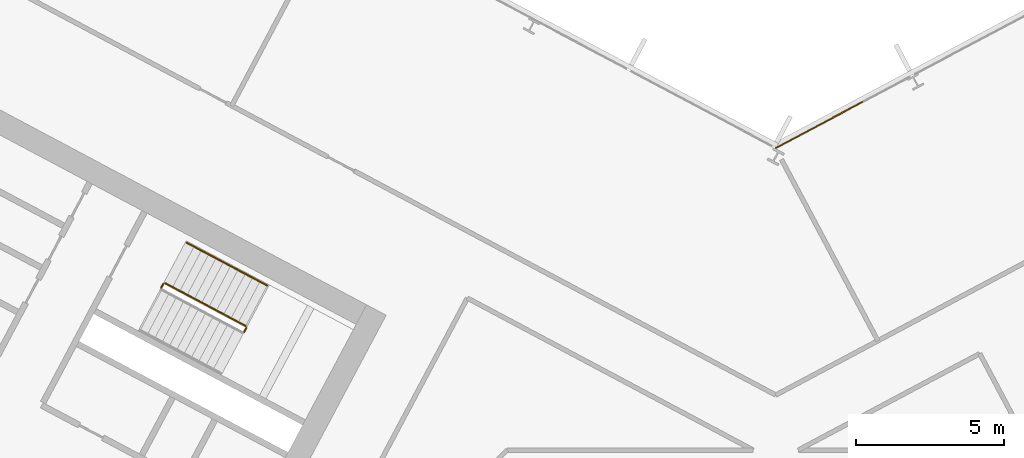
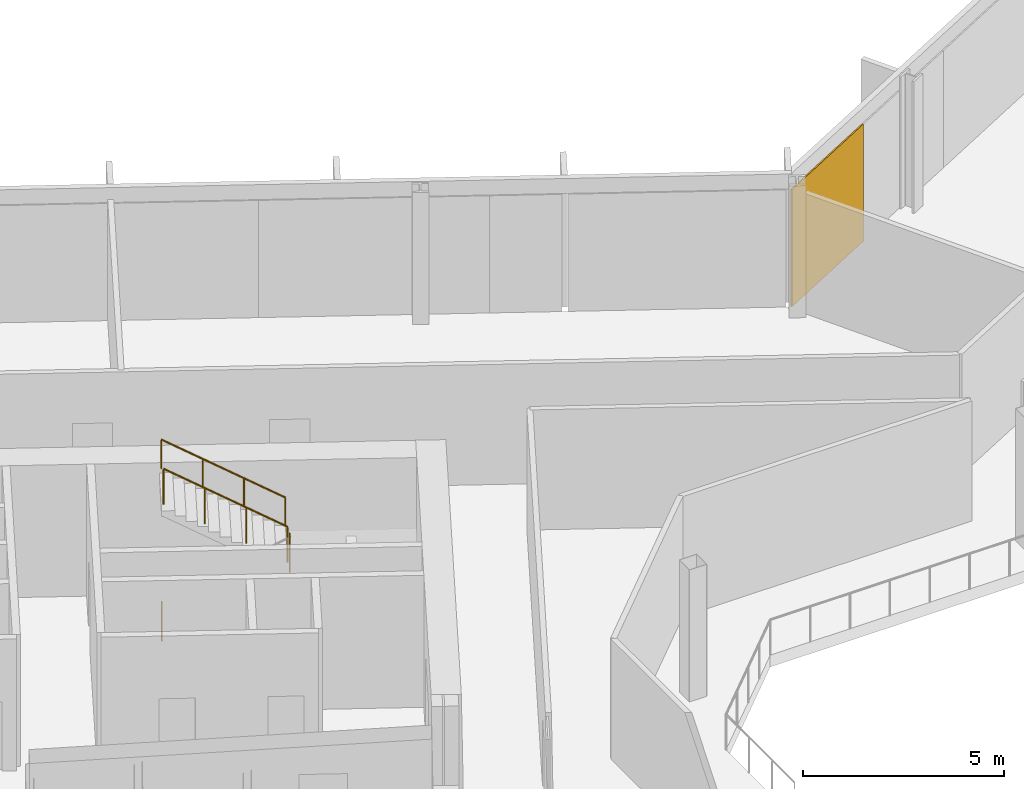
# One storey, part 23 of 28: 4 railings, 1 covering, 1 element without a shape of its own.
"""IFC4 building model written with IfcOpenShell, lengths in metres."""

from ifc_helpers import new_model, si_unit, direction, frame, origin, origin_2d, place, context, subcontext, project, spatial, polyline, rectangle, outline, extrude, material, layer, layer_set, type_object, element, aggregate, save


model = new_model("IFC4")

# Units and contexts
model_context = context("Model", 3, precision=1e-05, world=origin(), true_north=direction((0.0, 1.0)))
body_context = subcontext(model_context, "Body", "Model", "MODEL_VIEW")
ifc_project = project(units=[si_unit("LENGTHUNIT", "METRE"), si_unit("AREAUNIT", "SQUARE_METRE"), si_unit("VOLUMEUNIT", "CUBIC_METRE"), si_unit("PLANEANGLEUNIT", "RADIAN"), si_unit("MASSUNIT", "GRAM", prefix="KILO")], contexts=[model_context])

# Site, building, storey
site_placement = place(None, origin())
site = spatial("IfcSite", under=ifc_project, at=site_placement, CompositionType="ELEMENT")
building_placement = place(site_placement, origin())
building = spatial("IfcBuilding", under=site, at=building_placement, Name="Cormorant Relay Tower", CompositionType="ELEMENT")
storey_placement = place(building_placement, frame((0.0, 0.0, 170.199951171875)))
storey = spatial("IfcBuildingStorey", under=building, at=storey_placement, Name="L36", CompositionType="ELEMENT", Elevation=170.199951171875)

# Curtain wall, covering
ifc_material_1 = material(Name="Aluminium 6063-T6 anodised bronze", Category="aluminium")
ifc_layer_1 = layer(ifc_material_1, 0.199951171875)
ifc_layer_set_1 = layer_set([ifc_layer_1], Name="CW1 unitised bronze curtain wall with vertical fins")
curtain_wall_type = type_object("IfcCurtainWallType", Name="CW1 unitised bronze curtain wall with vertical fins", PredefinedType="NOTDEFINED", material=ifc_layer_set_1)
curtain_wall_placement = place(storey_placement, origin())
curtain_wall = element("IfcCurtainWall", 1, at=curtain_wall_placement, inside=storey, type_object=curtain_wall_type, Name="CW1 curtain wall 8", PredefinedType="NOTDEFINED")
ifc_material_2 = material(Name="Pale bronze anodised aluminium insulated panel", Category="aluminium")
ifc_layer_2 = layer(ifc_material_2, 0.0400390625)
ifc_layer_set_2 = layer_set([ifc_layer_2], Name="CW1 pale bronze insulated panel 40")
covering_type = type_object("IfcCoveringType", Name="CW1 pale bronze insulated panel 40", PredefinedType="CLADDING", material=ifc_layer_set_2)
covering_placement = place(storey_placement, frame((1.471435546875, 24.589111328125, 0.0), z_axis=(0.0, 0.0, 1.0), x_axis=(-0.882947592859, -0.469471562786, 0.0)))
covering = element("IfcCovering", 2, at=covering_placement, type_object=covering_type, Name="CW1 panel S10", PredefinedType="CLADDING", context=body_context, shape_type="SweptSolid", body=[
    extrude(rectangle(XDim=3.354248046875, YDim=0.0400390625, at=origin_2d()), origin(), (0.0, 0.0, 1.0), 3.550048828125),
])
aggregate(curtain_wall, [covering])

# Railings
ifc_material_3 = material(Name="Steel ASTM A572 Grade 50 (Fy 345 MPa)", Category="steel")
railing_type_1 = type_object("IfcRailingType", Name="Stair guard 1100", PredefinedType="GUARDRAIL", material=ifc_material_3)
railing_1_placement = place(storey_placement, frame((-17.96337890625, 17.592529296875, 2.0)))
element("IfcRailing", 3, at=railing_1_placement, inside=storey, type_object=railing_type_1, Name="L36 A1 stair guard 2", PredefinedType="GUARDRAIL", context=body_context, shape_type="SweptSolid", body=[
    extrude(outline(polyline([(0.022216796875, 0.00927734375), (0.00927734375, 0.022216796875), (-0.00927734375, 0.022216796875), (-0.022216796875, 0.00927734375), (-0.022216796875, -0.00927734375), (-0.00927734375, -0.022216796875), (0.00927734375, -0.022216796875), (0.022216796875, -0.00927734375), (0.022216796875, 0.00927734375)])), frame((0.0, 0.0, 1.076171875), z_axis=(0.46856034887, 0.8834314911, 0.0), x_axis=(-0.8834314911, 0.46856034887, 0.0)), (0.0, 0.0, 1.0), 0.150146484375),
    extrude(outline(polyline([(0.019287109375, 0.008056640625), (0.008056640625, 0.019287109375), (-0.008056640625, 0.019287109375), (-0.019287109375, 0.008056640625), (-0.019287109375, -0.008056640625), (-0.008056640625, -0.019287109375), (0.008056640625, -0.019287109375), (0.019287109375, -0.008056640625), (0.019287109375, 0.008056640625)])), origin(), (0.0, 0.0, 1.0), 1.052001953125),
    extrude(outline(polyline([(0.019287109375, 0.008056640625), (0.008056640625, 0.019287109375), (-0.008056640625, 0.019287109375), (-0.019287109375, 0.008056640625), (-0.019287109375, -0.008056640625), (-0.008056640625, -0.019287109375), (0.008056640625, -0.019287109375), (0.019287109375, -0.008056640625), (0.019287109375, 0.008056640625)])), frame((0.0703125, 0.132568359375, 0.0)), (0.0, 0.0, 1.0), 1.052001953125),
])
railing_2_placement = place(storey_placement, frame((-17.913818359375, 17.792724609375, 2.166748046875)))
element("IfcRailing", 4, at=railing_2_placement, inside=storey, type_object=railing_type_1, Name="L36 A1 stair guard 3", PredefinedType="GUARDRAIL", context=body_context, shape_type="SweptSolid", body=[
    extrude(outline(polyline([(0.022216796875, 0.00927734375), (0.00927734375, 0.022216796875), (-0.00927734375, 0.022216796875), (-0.022216796875, 0.00927734375), (-0.022216796875, -0.00927734375), (-0.00927734375, -0.022216796875), (0.00927734375, -0.022216796875), (0.022216796875, -0.00927734375), (0.022216796875, 0.00927734375)])), frame((0.0, 0.0, 1.076171875), z_axis=(-0.758734504837, 0.403377838015, 0.511476559549), x_axis=(-0.469427602063, -0.882970965786, 0.0)), (0.0, 0.0, 1.0), 3.584228515625),
    extrude(outline(polyline([(0.019287109375, 0.008056640625), (0.008056640625, 0.019287109375), (-0.008056640625, 0.019287109375), (-0.019287109375, 0.008056640625), (-0.019287109375, -0.008056640625), (-0.008056640625, -0.019287109375), (0.008056640625, -0.019287109375), (0.019287109375, -0.008056640625), (0.019287109375, 0.008056640625)])), origin(), (0.0, 0.0, 1.0), 1.052001953125),
    extrude(outline(polyline([(0.019287109375, 0.008056640625), (0.008056640625, 0.019287109375), (-0.008056640625, 0.019287109375), (-0.019287109375, 0.008056640625), (-0.019287109375, -0.008056640625), (-0.008056640625, -0.019287109375), (0.008056640625, -0.019287109375), (0.019287109375, -0.008056640625), (0.019287109375, 0.008056640625)])), frame((-0.906494140625, 0.48193359375, 0.611083984375)), (0.0, 0.0, 1.0), 1.052001953125),
    extrude(outline(polyline([(0.019287109375, 0.008056640625), (0.008056640625, 0.019287109375), (-0.008056640625, 0.019287109375), (-0.019287109375, 0.008056640625), (-0.019287109375, -0.008056640625), (-0.008056640625, -0.019287109375), (0.008056640625, -0.019287109375), (0.019287109375, -0.008056640625), (0.019287109375, 0.008056640625)])), frame((-1.81298828125, 0.9638671875, 1.22216796875)), (0.0, 0.0, 1.0), 1.052001953125),
    extrude(outline(polyline([(0.019287109375, 0.008056640625), (0.008056640625, 0.019287109375), (-0.008056640625, 0.019287109375), (-0.019287109375, 0.008056640625), (-0.019287109375, -0.008056640625), (-0.008056640625, -0.019287109375), (0.008056640625, -0.019287109375), (0.019287109375, -0.008056640625), (0.019287109375, 0.008056640625)])), frame((-2.719482421875, 1.44580078125, 1.833251953125)), (0.0, 0.0, 1.0), 1.052001953125),
])
railing_3_placement = place(storey_placement, frame((-20.771240234375, 19.08544921875, 0.0)))
element("IfcRailing", 5, at=railing_3_placement, inside=storey, type_object=railing_type_1, Name="L36 A1 stair guard 4", PredefinedType="GUARDRAIL", context=body_context, shape_type="SweptSolid", body=[
    extrude(outline(polyline([(0.022216796875, 0.00927734375), (0.00927734375, 0.022216796875), (-0.00927734375, 0.022216796875), (-0.022216796875, 0.00927734375), (-0.022216796875, -0.00927734375), (-0.00927734375, -0.022216796875), (0.00927734375, -0.022216796875), (0.022216796875, -0.00927734375), (0.022216796875, 0.00927734375)])), frame((0.0, 0.0, 1.076171875), z_axis=(0.469828648786, 0.882757634224, 0.0), x_axis=(-0.882757634224, 0.469828648786, 0.0)), (0.0, 0.0, 1.0), 0.150146484375),
    extrude(outline(polyline([(0.019287109375, 0.008056640625), (0.008056640625, 0.019287109375), (-0.008056640625, 0.019287109375), (-0.019287109375, 0.008056640625), (-0.019287109375, -0.008056640625), (-0.008056640625, -0.019287109375), (0.008056640625, -0.019287109375), (0.019287109375, -0.008056640625), (0.019287109375, 0.008056640625)])), origin(), (0.0, 0.0, 1.0), 1.052001953125),
    extrude(outline(polyline([(0.019287109375, 0.008056640625), (0.008056640625, 0.019287109375), (-0.008056640625, 0.019287109375), (-0.019287109375, 0.008056640625), (-0.019287109375, -0.008056640625), (-0.008056640625, -0.019287109375), (0.008056640625, -0.019287109375), (0.019287109375, -0.008056640625), (0.019287109375, 0.008056640625)])), frame((0.070556640625, 0.132568359375, 0.0)), (0.0, 0.0, 1.0), 1.052001953125),
])
ifc_material_4 = material(Name="Steel ASTM A572 Grade 50 (Fy 345 MPa)", Category="steel")
railing_type_2 = type_object("IfcRailingType", Name="Stair handrail 900", PredefinedType="HANDRAIL", material=ifc_material_4)
railing_4_placement = place(storey_placement, frame((-17.18603515625, 19.1611328125, 2.166748046875)))
element("IfcRailing", 6, at=railing_4_placement, inside=storey, type_object=railing_type_2, Name="L36 A1 stair handrail 2", PredefinedType="HANDRAIL", context=body_context, shape_type="SweptSolid", body=[
    extrude(outline(polyline([(0.022216796875, 0.00927734375), (0.00927734375, 0.022216796875), (-0.00927734375, 0.022216796875), (-0.022216796875, 0.00927734375), (-0.022216796875, -0.00927734375), (-0.00927734375, -0.022216796875), (0.00927734375, -0.022216796875), (0.022216796875, -0.00927734375), (0.022216796875, 0.00927734375)])), frame((0.0, 0.0, 0.8759765625), z_axis=(-0.758713656843, 0.403434867536, 0.511462505542), x_axis=(-0.469489399267, -0.882938108802, 0.0)), (0.0, 0.0, 1.0), 3.584228515625),
    extrude(outline(polyline([(0.019287109375, 0.008056640625), (0.008056640625, 0.019287109375), (-0.008056640625, 0.019287109375), (-0.019287109375, 0.008056640625), (-0.019287109375, -0.008056640625), (-0.008056640625, -0.019287109375), (0.008056640625, -0.019287109375), (0.019287109375, -0.008056640625), (0.019287109375, 0.008056640625)])), origin(), (0.0, 0.0, 1.0), 0.851806640625),
    extrude(outline(polyline([(0.019287109375, 0.008056640625), (0.008056640625, 0.019287109375), (-0.008056640625, 0.019287109375), (-0.019287109375, 0.008056640625), (-0.019287109375, -0.008056640625), (-0.008056640625, -0.019287109375), (0.008056640625, -0.019287109375), (0.019287109375, -0.008056640625), (0.019287109375, 0.008056640625)])), frame((-0.906494140625, 0.48193359375, 0.611083984375)), (0.0, 0.0, 1.0), 0.851806640625),
    extrude(outline(polyline([(0.019287109375, 0.008056640625), (0.008056640625, 0.019287109375), (-0.008056640625, 0.019287109375), (-0.019287109375, 0.008056640625), (-0.019287109375, -0.008056640625), (-0.008056640625, -0.019287109375), (0.008056640625, -0.019287109375), (0.019287109375, -0.008056640625), (0.019287109375, 0.008056640625)])), frame((-1.81298828125, 0.964111328125, 1.22216796875)), (0.0, 0.0, 1.0), 0.851806640625),
    extrude(outline(polyline([(0.019287109375, 0.008056640625), (0.008056640625, 0.019287109375), (-0.008056640625, 0.019287109375), (-0.019287109375, 0.008056640625), (-0.019287109375, -0.008056640625), (-0.008056640625, -0.019287109375), (0.008056640625, -0.019287109375), (0.019287109375, -0.008056640625), (0.019287109375, 0.008056640625)])), frame((-2.719482421875, 1.446044921875, 1.833251953125)), (0.0, 0.0, 1.0), 0.851806640625),
])

save(model, "model.ifc")
